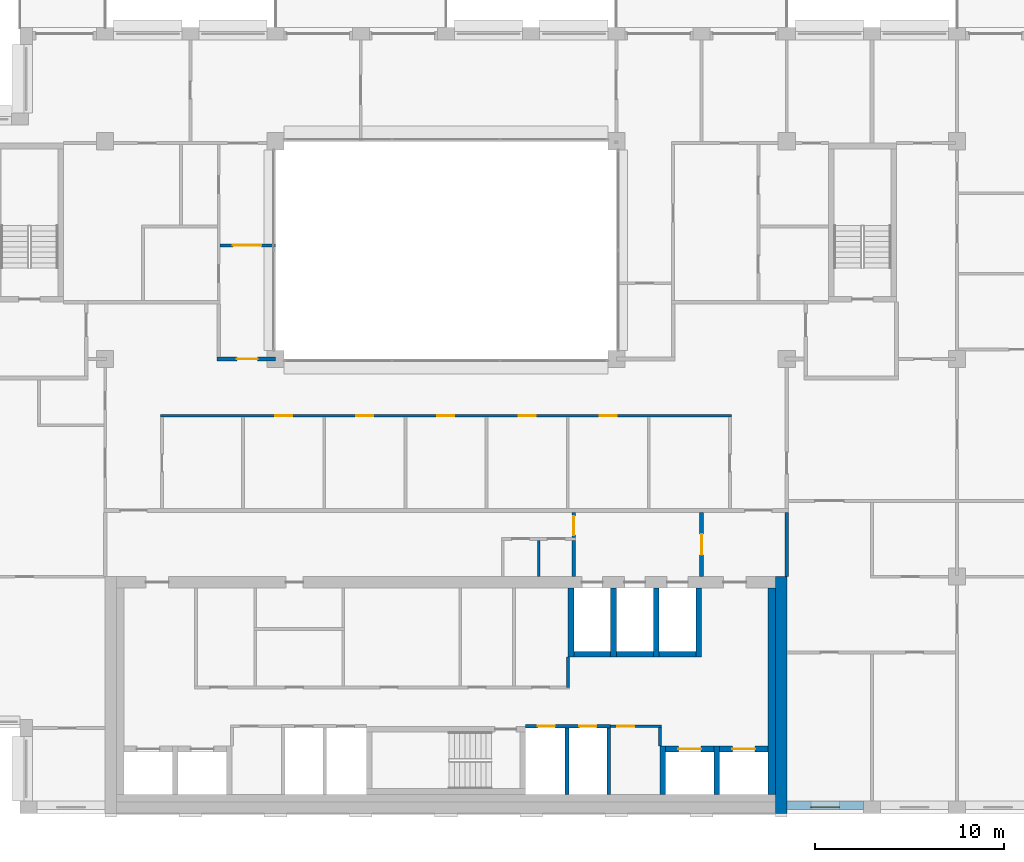
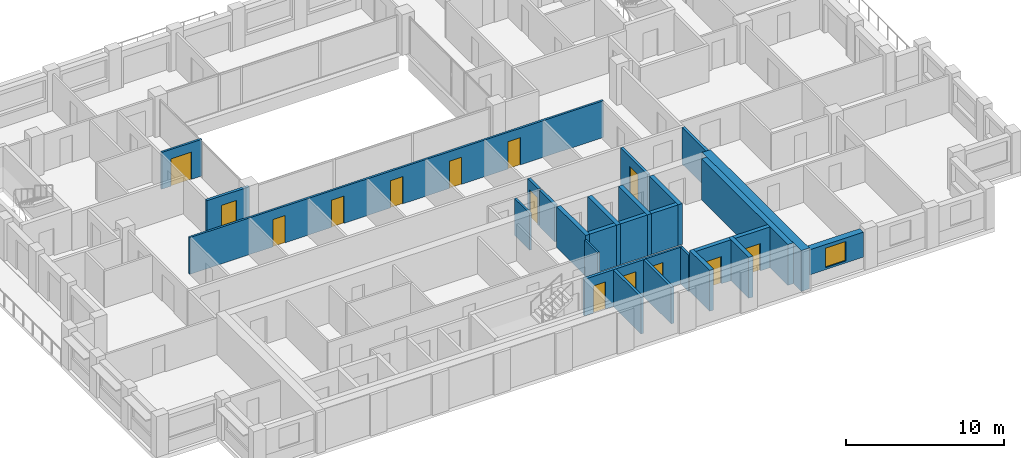
# One storey, part 10 of 15: 28 walls, 14 doors, 1 window, 15 openings.
"""IFC4 building model written with IfcOpenShell, lengths in metres."""

from ifc_helpers import new_model, si_unit, direction, frame, frame_2d, origin, place, context, subcontext, project, spatial, rectangle, extrude, material, layer, layer_set, type_object, element, fill, save


model = new_model("IFC4")

# Units and contexts
model_context = context("Model", 3, precision=1e-05, world=origin(), true_north=direction((0.0, 1.0)))
body_context = subcontext(model_context, "Body", "Model", "MODEL_VIEW")
ifc_project = project(units=[si_unit("LENGTHUNIT", "METRE"), si_unit("AREAUNIT", "SQUARE_METRE"), si_unit("VOLUMEUNIT", "CUBIC_METRE"), si_unit("PLANEANGLEUNIT", "RADIAN"), si_unit("MASSUNIT", "GRAM", prefix="KILO")], contexts=[model_context])

# Site, building, storey
site_placement = place(None, origin())
site = spatial("IfcSite", under=ifc_project, at=site_placement, CompositionType="ELEMENT")
building_placement = place(site_placement, origin())
building = spatial("IfcBuilding", under=site, at=building_placement, Name="Brigalow Station Residences", CompositionType="ELEMENT")
storey_placement = place(building_placement, frame((0.0, 0.0, 216.89990234375)))
storey = spatial("IfcBuildingStorey", under=building, at=storey_placement, Name="L62", CompositionType="ELEMENT", Elevation=216.89990234375)

# Wall, opening, window
ifc_material_1 = material(Name="Clay brick masonry", Category="masonry")
ifc_layer_1 = layer(ifc_material_1, 0.449951171875)
ifc_layer_set_1 = layer_set([ifc_layer_1], Name="BRICK INFILL WALL 450")
wall_type_1 = type_object("IfcWallType", Name="BRICK INFILL WALL 450", PredefinedType="SOLIDWALL", material=ifc_layer_set_1)
wall_1_placement = place(storey_placement, frame((54.0, 0.425048828125, 0.900146484375), z_axis=(0.0, 0.0, 1.0), x_axis=(1.0, 0.0, 0.0)))
wall_1 = element("IfcWall", 1, at=wall_1_placement, inside=storey, type_object=wall_type_1, Name="L62/ewall/W-L62-3", PredefinedType="SOLIDWALL", context=body_context, shape_type="SweptSolid", body=[
    extrude(rectangle(XDim=4.050048828125, YDim=0.449951171875, at=frame_2d((2.02490234375, 0.0))), origin(), (0.0, 0.0, 1.0), 1.929931640625),
])
opening_1_placement = place(wall_1_placement, frame((1.27490234375, 0.0, 0.14990234375)))
opening_1 = element("IfcOpeningElement", 2, at=opening_1_placement, cuts=wall_1, Name="Opening WT-1", PredefinedType="OPENING", context=body_context, shape_type="SweptSolid", body=[
    extrude(rectangle(XDim=1.5, YDim=1.5, at=frame_2d((0.75, 0.75))), frame((0.0, 0.23486328125, 0.0), z_axis=(0.0, -1.0, 0.0), x_axis=(1.0, 0.0, 0.0)), (0.0, 0.0, 1.0), 0.469970703125),
])
ifc_material_2 = material(Name="Anodised aluminium frame with double glazing", Category="aluminium")
window_type = type_object("IfcWindowType", Name="WINDOW 1500x1500", PartitioningType="SINGLE_PANEL", PredefinedType="WINDOW", material=ifc_material_2)
window_placement = place(opening_1_placement, origin())
window = element("IfcWindow", 3, at=window_placement, inside=storey, type_object=window_type, Name="L62/window/W-L62-3", OverallHeight=1.5, OverallWidth=1.5, PartitioningType="SINGLE_PANEL", PredefinedType="WINDOW", context=body_context, shape_type="SweptSolid", body=[
    extrude(rectangle(XDim=1.5, YDim=1.5, at=frame_2d((0.75, 0.75))), frame((0.0, -0.06494140625, 0.0), z_axis=(0.0, -1.0, 0.0), x_axis=(1.0, 0.0, 0.0)), (0.0, 0.0, 1.0), 0.06005859375),
])
fill(opening_1, window)

# Walls
ifc_material_3 = material(Name="Concrete C50", Category="concrete")
ifc_layer_2 = layer(ifc_material_3, 0.300048828125)
ifc_layer_set_2 = layer_set([ifc_layer_2], Name="CORE SHEAR WALL 300 C50")
wall_type_2 = type_object("IfcWallType", Name="CORE SHEAR WALL 300 C50", PredefinedType="SHEAR", material=ifc_layer_set_2)
wall_2_placement = place(storey_placement, frame((42.75, 8.39990234375, 0.0), z_axis=(0.0, 0.0, 1.0), x_axis=(1.0, 0.0, 0.0)))
element("IfcWall", 4, at=wall_2_placement, inside=storey, type_object=wall_type_2, Name="CORE WALL SH-FF1-S L62", PredefinedType="SHEAR", context=body_context, shape_type="SweptSolid", body=[
    extrude(rectangle(XDim=1.949951171875, YDim=0.300048828125, at=frame_2d((0.97509765625, 0.0))), origin(), (0.0, 0.0, 1.0), 3.150146484375),
])
wall_3_placement = place(storey_placement, frame((42.60009765625, 8.25, 0.0), z_axis=(0.0, 0.0, 1.0), x_axis=(0.0, 1.0, 0.0)))
element("IfcWall", 5, at=wall_3_placement, inside=storey, type_object=wall_type_2, Name="CORE WALL SH-FF1-W L62", PredefinedType="SHEAR", context=body_context, shape_type="SweptSolid", body=[
    extrude(rectangle(XDim=3.64990234375, YDim=0.300048828125, at=frame_2d((1.824951171875, 0.0))), origin(), (0.0, 0.0, 1.0), 3.150146484375),
])
wall_4_placement = place(storey_placement, frame((45.0, 8.39990234375, 0.0), z_axis=(0.0, 0.0, 1.0), x_axis=(1.0, 0.0, 0.0)))
element("IfcWall", 6, at=wall_4_placement, inside=storey, type_object=wall_type_2, Name="CORE WALL SH-FF2-S L62", PredefinedType="SHEAR", context=body_context, shape_type="SweptSolid", body=[
    extrude(rectangle(XDim=1.949951171875, YDim=0.300048828125, at=frame_2d((0.97509765625, 0.0))), origin(), (0.0, 0.0, 1.0), 3.150146484375),
])
wall_5_placement = place(storey_placement, frame((44.85009765625, 8.25, 0.0), z_axis=(0.0, 0.0, 1.0), x_axis=(0.0, 1.0, 0.0)))
element("IfcWall", 7, at=wall_5_placement, inside=storey, type_object=wall_type_2, Name="CORE WALL SH-FF2-W L62", PredefinedType="SHEAR", context=body_context, shape_type="SweptSolid", body=[
    extrude(rectangle(XDim=3.64990234375, YDim=0.300048828125, at=frame_2d((1.824951171875, 0.0))), origin(), (0.0, 0.0, 1.0), 3.150146484375),
])
wall_6_placement = place(storey_placement, frame((47.25, 8.39990234375, 0.0), z_axis=(0.0, 0.0, 1.0), x_axis=(1.0, 0.0, 0.0)))
element("IfcWall", 8, at=wall_6_placement, inside=storey, type_object=wall_type_2, Name="CORE WALL SH-SL1-S L62", PredefinedType="SHEAR", context=body_context, shape_type="SweptSolid", body=[
    extrude(rectangle(XDim=1.949951171875, YDim=0.300048828125, at=frame_2d((0.97509765625, 0.0))), origin(), (0.0, 0.0, 1.0), 3.150146484375),
])
for number, where, z_axis, x_axis, name in (
    (9, (47.10009765625, 8.25, 0.0), (0.0, 0.0, 1.0), (0.0, 1.0, 0.0), "CORE WALL SH-SL1-W L62"),
    (10, (49.35009765625, 8.25, 0.0), (0.0, 0.0, 1.0), (0.0, 1.0, 0.0), "CORE WALL SH-SL1-E L62"),
):
    element("IfcWall", number, at=place(storey_placement, frame(where, z_axis=z_axis, x_axis=x_axis)), inside=storey, type_object=wall_type_2, Name=name, PredefinedType="SHEAR", context=body_context, shape_type="SweptSolid", body=[
        extrude(rectangle(XDim=3.64990234375, YDim=0.300048828125, at=frame_2d((1.824951171875, 0.0))), origin(), (0.0, 0.0, 1.0), 3.150146484375),
    ])

# Wall, opening, door
wall_7_placement = place(storey_placement, frame((47.60009765625, 3.39990234375, 0.0), z_axis=(0.0, 0.0, 1.0), x_axis=(1.0, 0.0, 0.0)))
wall_7 = element("IfcWall", 11, at=wall_7_placement, inside=storey, type_object=wall_type_2, Name="CORE WALL SH-C3-N L62", PredefinedType="SHEAR", context=body_context, shape_type="SweptSolid", body=[
    extrude(rectangle(XDim=2.5498046875, YDim=0.300048828125, at=frame_2d((1.27490234375, 0.0))), origin(), (0.0, 0.0, 1.0), 3.150146484375),
])
opening_2_placement = place(wall_7_placement, frame((0.675048828125, 0.0, 0.0)))
opening_2 = element("IfcOpeningElement", 12, at=opening_2_placement, cuts=wall_7, Name="Opening LD-LB3", PredefinedType="OPENING", context=body_context, shape_type="SweptSolid", body=[
    extrude(rectangle(XDim=1.199951171875, YDim=2.10009765625, at=frame_2d((0.60009765625, 1.050048828125))), frame((0.0, 0.16015625, 0.0), z_axis=(0.0, -1.0, 0.0), x_axis=(1.0, 0.0, 0.0)), (0.0, 0.0, 1.0), 0.320068359375),
])
ifc_material_4 = material(Name="Stainless steel sliding door leaves", Category="steel")
door_type_1 = type_object("IfcDoorType", Name="LIFT LANDING DOOR 1200 x 2100", OperationType="DOUBLE_DOOR_SLIDING", PredefinedType="DOOR", material=ifc_material_4)
door_1_placement = place(opening_2_placement, origin())
door_1 = element("IfcDoor", 13, at=door_1_placement, inside=storey, type_object=door_type_1, Name="LANDING DOOR LB3", OperationType="DOUBLE_DOOR_SLIDING", OverallHeight=2.10009765625, OverallWidth=1.199951171875, PredefinedType="DOOR", context=body_context, shape_type="SweptSolid", body=[
    extrude(rectangle(XDim=1.199951171875, YDim=2.10009765625, at=frame_2d((0.60009765625, 1.050048828125))), frame((0.0, 0.02490234375, 0.0), z_axis=(0.0, -1.0, 0.0), x_axis=(1.0, 0.0, 0.0)), (0.0, 0.0, 1.0), 0.050048828125),
])
fill(opening_2, door_1)

# Wall
wall_8_placement = place(storey_placement, frame((47.449951171875, 1.0, 0.0), z_axis=(0.0, 0.0, 1.0), x_axis=(0.0, 1.0, 0.0)))
element("IfcWall", 14, at=wall_8_placement, inside=storey, type_object=wall_type_2, Name="CORE WALL SH-C3-W L62", PredefinedType="SHEAR", context=body_context, shape_type="SweptSolid", body=[
    extrude(rectangle(XDim=2.550048828125, YDim=0.300048828125, at=frame_2d((1.27490234375, 0.0))), origin(), (0.0, 0.0, 1.0), 3.150146484375),
])

# Wall, opening, door
wall_9_placement = place(storey_placement, frame((50.449951171875, 3.39990234375, 0.0), z_axis=(0.0, 0.0, 1.0), x_axis=(1.0, 0.0, 0.0)))
wall_9 = element("IfcWall", 15, at=wall_9_placement, inside=storey, type_object=wall_type_2, Name="CORE WALL SH-C4-N L62", PredefinedType="SHEAR", context=body_context, shape_type="SweptSolid", body=[
    extrude(rectangle(XDim=2.550048828125, YDim=0.300048828125, at=frame_2d((1.27490234375, 0.0))), origin(), (0.0, 0.0, 1.0), 3.150146484375),
])
opening_3_placement = place(wall_9_placement, frame((0.675048828125, 0.0, 0.0)))
opening_3 = element("IfcOpeningElement", 16, at=opening_3_placement, cuts=wall_9, Name="Opening LD-LB4", PredefinedType="OPENING", context=body_context, shape_type="SweptSolid", body=[
    extrude(rectangle(XDim=1.199951171875, YDim=2.10009765625, at=frame_2d((0.60009765625, 1.050048828125))), frame((0.0, 0.16015625, 0.0), z_axis=(0.0, -1.0, 0.0), x_axis=(1.0, 0.0, 0.0)), (0.0, 0.0, 1.0), 0.320068359375),
])
door_2_placement = place(opening_3_placement, origin())
door_2 = element("IfcDoor", 17, at=door_2_placement, inside=storey, type_object=door_type_1, Name="LANDING DOOR LB4", OperationType="DOUBLE_DOOR_SLIDING", OverallHeight=2.10009765625, OverallWidth=1.199951171875, PredefinedType="DOOR", context=body_context, shape_type="SweptSolid", body=[
    extrude(rectangle(XDim=1.199951171875, YDim=2.10009765625, at=frame_2d((0.60009765625, 1.050048828125))), frame((0.0, 0.02490234375, 0.0), z_axis=(0.0, -1.0, 0.0), x_axis=(1.0, 0.0, 0.0)), (0.0, 0.0, 1.0), 0.050048828125),
])
fill(opening_3, door_2)

# Walls
wall_10_placement = place(storey_placement, frame((50.300048828125, 1.0, 0.0), z_axis=(0.0, 0.0, 1.0), x_axis=(0.0, 1.0, 0.0)))
element("IfcWall", 18, at=wall_10_placement, inside=storey, type_object=wall_type_2, Name="CORE WALL SH-C4-W L62", PredefinedType="SHEAR", context=body_context, shape_type="SweptSolid", body=[
    extrude(rectangle(XDim=2.550048828125, YDim=0.300048828125, at=frame_2d((1.27490234375, 0.0))), origin(), (0.0, 0.0, 1.0), 3.150146484375),
])
ifc_material_5 = material(Name="Concrete C50", Category="concrete")
ifc_layer_3 = layer(ifc_material_5, 0.39990234375)
ifc_layer_set_3 = layer_set([ifc_layer_3], Name="CORE SHEAR WALL 400 C50")
wall_type_3 = type_object("IfcWallType", Name="CORE SHEAR WALL 400 C50", PredefinedType="SHEAR", material=ifc_layer_set_3)
wall_11_placement = place(storey_placement, frame((53.199951171875, 1.0, 0.0), z_axis=(0.0, 0.0, 1.0), x_axis=(0.0, 1.0, 0.0)))
element("IfcWall", 19, at=wall_11_placement, inside=storey, type_object=wall_type_3, Name="CORE WALL LIN-E L62", PredefinedType="SHEAR", context=body_context, shape_type="SweptSolid", body=[
    extrude(rectangle(XDim=10.89990234375, YDim=0.39990234375, at=frame_2d((5.449951171875, 0.0))), origin(), (0.0, 0.0, 1.0), 3.150146484375),
])
ifc_material_6 = material(Name="Concrete C50", Category="concrete")
ifc_layer_4 = layer(ifc_material_6, 0.60009765625)
ifc_layer_set_4 = layer_set([ifc_layer_4], Name="CORE SHEAR WALL 600 C50")
wall_type_4 = type_object("IfcWallType", Name="CORE SHEAR WALL 600 C50", PredefinedType="SHEAR", material=ifc_layer_set_4)
wall_12_placement = place(storey_placement, frame((53.699951171875, 0.0, 0.0), z_axis=(0.0, 0.0, 1.0), x_axis=(0.0, 1.0, 0.0)))
element("IfcWall", 20, at=wall_12_placement, inside=storey, type_object=wall_type_4, Name="CORE WALL OUT-E L62", PredefinedType="SHEAR", context=body_context, shape_type="SweptSolid", body=[
    extrude(rectangle(XDim=12.5, YDim=0.60009765625, at=frame_2d((6.25, 0.0))), origin(), (0.0, 0.0, 1.0), 3.150146484375),
])

# Wall, openings, doors
ifc_material_7 = material(Name="Concrete blockwork", Category="masonry")
ifc_layer_5 = layer(ifc_material_7, 0.199951171875)
ifc_layer_set_5 = layer_set([ifc_layer_5], Name="FIRE RATED CORE PARTITION 200")
wall_type_5 = type_object("IfcWallType", Name="FIRE RATED CORE PARTITION 200", PredefinedType="PARTITIONING", material=ifc_layer_set_5)
wall_13_placement = place(storey_placement, frame((40.199951171875, 4.60009765625, 0.0), z_axis=(0.0, 0.0, 1.0), x_axis=(1.0, 0.0, 0.0)))
wall_13 = element("IfcWall", 21, at=wall_13_placement, inside=storey, type_object=wall_type_5, Name="PW-5018", PredefinedType="PARTITIONING", context=body_context, shape_type="SweptSolid", body=[
    extrude(rectangle(XDim=4.5, YDim=0.199951171875, at=frame_2d((2.25, 0.0))), origin(), (0.0, 0.0, 1.0), 2.830078125),
])
opening_4_placement = place(wall_13_placement, frame((0.64990234375, 0.0, 0.0)))
opening_4 = element("IfcOpeningElement", 22, at=opening_4_placement, cuts=wall_13, Name="Opening D-5009", PredefinedType="OPENING", context=body_context, shape_type="SweptSolid", body=[
    extrude(rectangle(XDim=0.89990234375, YDim=2.10009765625, at=frame_2d((0.449951171875, 1.050048828125))), frame((0.0, 0.10986328125, 0.0), z_axis=(0.0, -1.0, 0.0), x_axis=(1.0, 0.0, 0.0)), (0.0, 0.0, 1.0), 0.219970703125),
])
opening_5_placement = place(wall_13_placement, frame((2.85009765625, 0.0, 0.0)))
opening_5 = element("IfcOpeningElement", 23, at=opening_5_placement, cuts=wall_13, Name="Opening D-5010", PredefinedType="OPENING", context=body_context, shape_type="SweptSolid", body=[
    extrude(rectangle(XDim=0.89990234375, YDim=2.10009765625, at=frame_2d((0.449951171875, 1.050048828125))), frame((0.0, 0.10986328125, 0.0), z_axis=(0.0, -1.0, 0.0), x_axis=(1.0, 0.0, 0.0)), (0.0, 0.0, 1.0), 0.219970703125),
])
ifc_material_8 = material(Name="Steel fire door leaf in steel frame", Category="steel")
door_type_2 = type_object("IfcDoorType", Name="RISER ACCESS DOOR 900 x 2100 FD120", OperationType="SINGLE_SWING_LEFT", PredefinedType="DOOR", material=ifc_material_8)
door_3_placement = place(opening_4_placement, frame((0.89990234375, 0.0, 0.0), z_axis=(0.0, 0.0, 1.0), x_axis=(-1.0, 0.0, 0.0)))
door_3 = element("IfcDoor", 24, at=door_3_placement, inside=storey, type_object=door_type_2, Name="D-5009", OperationType="SINGLE_SWING_LEFT", OverallHeight=2.10009765625, OverallWidth=0.89990234375, PredefinedType="DOOR", context=body_context, shape_type="SweptSolid", body=[
    extrude(rectangle(XDim=0.89990234375, YDim=2.10009765625, at=frame_2d((0.449951171875, 1.050048828125))), frame((0.0, 0.02490234375, 0.0), z_axis=(0.0, -1.0, 0.0), x_axis=(1.0, 0.0, 0.0)), (0.0, 0.0, 1.0), 0.050048828125),
])
fill(opening_4, door_3)
door_4_placement = place(opening_5_placement, frame((0.89990234375, 0.0, 0.0), z_axis=(0.0, 0.0, 1.0), x_axis=(-1.0, 0.0, 0.0)))
door_4 = element("IfcDoor", 25, at=door_4_placement, inside=storey, type_object=door_type_2, Name="D-5010", OperationType="SINGLE_SWING_LEFT", OverallHeight=2.10009765625, OverallWidth=0.89990234375, PredefinedType="DOOR", context=body_context, shape_type="SweptSolid", body=[
    extrude(rectangle(XDim=0.89990234375, YDim=2.10009765625, at=frame_2d((0.449951171875, 1.050048828125))), frame((0.0, 0.02490234375, 0.0), z_axis=(0.0, -1.0, 0.0), x_axis=(1.0, 0.0, 0.0)), (0.0, 0.0, 1.0), 0.050048828125),
])
fill(opening_5, door_4)

# Walls
for number, where, z_axis, x_axis, name in (
    (26, (42.39990234375, 1.0, 0.0), (0.0, 0.0, 1.0), (0.0, 1.0, 0.0), "PW-5007"),
    (27, (44.60009765625, 1.0, 0.0), (0.0, 0.0, 1.0), (0.0, 1.0, 0.0), "PW-5008"),
):
    element("IfcWall", number, at=place(storey_placement, frame(where, z_axis=z_axis, x_axis=x_axis)), inside=storey, type_object=wall_type_5, Name=name, PredefinedType="PARTITIONING", context=body_context, shape_type="SweptSolid", body=[
        extrude(rectangle(XDim=3.5, YDim=0.199951171875, at=frame_2d((1.75, 0.0))), origin(), (0.0, 0.0, 1.0), 2.830078125),
    ])
wall_14_placement = place(storey_placement, frame((42.75, 12.5, 0.0), z_axis=(0.0, 0.0, 1.0), x_axis=(0.0, 1.0, 0.0)))
element("IfcWall", 28, at=wall_14_placement, inside=storey, type_object=wall_type_5, Name="PW-5046", PredefinedType="PARTITIONING", context=body_context, shape_type="SweptSolid", body=[
    extrude(rectangle(XDim=1.925048828125, YDim=0.199951171875, at=frame_2d((0.96240234375, 0.0))), origin(), (0.0, 0.0, 1.0), 2.830078125),
])

# Wall, opening, door
wall_15_placement = place(storey_placement, frame((49.5, 12.5, 0.0), z_axis=(0.0, 0.0, 1.0), x_axis=(0.0, 1.0, 0.0)))
wall_15 = element("IfcWall", 29, at=wall_15_placement, inside=storey, type_object=wall_type_5, Name="PW-5015", PredefinedType="PARTITIONING", context=body_context, shape_type="SweptSolid", body=[
    extrude(rectangle(XDim=3.39990234375, YDim=0.199951171875, at=frame_2d((1.699951171875, 0.0))), origin(), (0.0, 0.0, 1.0), 2.830078125),
])
opening_6_placement = place(wall_15_placement, frame((1.14990234375, 0.0, 0.0)))
opening_6 = element("IfcOpeningElement", 30, at=opening_6_placement, cuts=wall_15, Name="Opening D-5014", PredefinedType="OPENING", context=body_context, shape_type="SweptSolid", body=[
    extrude(rectangle(XDim=1.10009765625, YDim=2.10009765625, at=frame_2d((0.550048828125, 1.050048828125))), frame((0.0, 0.10986328125, 0.0), z_axis=(0.0, -1.0, 0.0), x_axis=(1.0, 0.0, 0.0)), (0.0, 0.0, 1.0), 0.219970703125),
])
ifc_material_9 = material(Name="Steel fire door leaf in steel frame", Category="steel")
door_type_3 = type_object("IfcDoorType", Name="LOBBY DOOR 1100 x 2100 FD60S", OperationType="SINGLE_SWING_LEFT", PredefinedType="DOOR", material=ifc_material_9)
door_5_placement = place(opening_6_placement, origin())
door_5 = element("IfcDoor", 31, at=door_5_placement, inside=storey, type_object=door_type_3, Name="D-5014", OperationType="SINGLE_SWING_LEFT", OverallHeight=2.10009765625, OverallWidth=1.10009765625, PredefinedType="DOOR", context=body_context, shape_type="SweptSolid", body=[
    extrude(rectangle(XDim=1.10009765625, YDim=2.10009765625, at=frame_2d((0.550048828125, 1.050048828125))), frame((0.0, 0.02490234375, 0.0), z_axis=(0.0, -1.0, 0.0), x_axis=(1.0, 0.0, 0.0)), (0.0, 0.0, 1.0), 0.050048828125),
])
fill(opening_6, door_5)

# Wall
wall_16_placement = place(storey_placement, frame((54.0, 12.5, 0.0), z_axis=(0.0, 0.0, 1.0), x_axis=(0.0, 1.0, 0.0)))
element("IfcWall", 32, at=wall_16_placement, inside=storey, type_object=wall_type_5, Name="PW-5016", PredefinedType="PARTITIONING", context=body_context, shape_type="SweptSolid", body=[
    extrude(rectangle(XDim=3.39990234375, YDim=0.199951171875, at=frame_2d((1.699951171875, 0.0))), origin(), (0.0, 0.0, 1.0), 2.830078125),
])

# Wall, opening, door
wall_17_placement = place(storey_placement, frame((42.75, 14.574951171875, 0.0), z_axis=(0.0, 0.0, 1.0), x_axis=(0.0, 1.0, 0.0)))
wall_17 = element("IfcWall", 33, at=wall_17_placement, inside=storey, type_object=wall_type_5, Name="PW-5047", PredefinedType="PARTITIONING", context=body_context, shape_type="SweptSolid", body=[
    extrude(rectangle(XDim=1.324951171875, YDim=0.199951171875, at=frame_2d((0.66259765625, 0.0))), origin(), (0.0, 0.0, 1.0), 2.830078125),
])
opening_7_placement = place(wall_17_placement, frame((0.125, 0.0, 0.0)))
opening_7 = element("IfcOpeningElement", 34, at=opening_7_placement, cuts=wall_17, Name="Opening D-5013", PredefinedType="OPENING", context=body_context, shape_type="SweptSolid", body=[
    extrude(rectangle(XDim=1.0, YDim=2.10009765625, at=frame_2d((0.5, 1.050048828125))), frame((0.0, 0.10986328125, 0.0), z_axis=(0.0, -1.0, 0.0), x_axis=(1.0, 0.0, 0.0)), (0.0, 0.0, 1.0), 0.219970703125),
])
ifc_material_10 = material(Name="Steel fire door leaf in steel frame", Category="steel")
door_type_4 = type_object("IfcDoorType", Name="LOBBY DOOR 1000 x 2100 FD60S", OperationType="SINGLE_SWING_LEFT", PredefinedType="DOOR", material=ifc_material_10)
door_6_placement = place(opening_7_placement, origin())
door_6 = element("IfcDoor", 35, at=door_6_placement, inside=storey, type_object=door_type_4, Name="D-5013", OperationType="SINGLE_SWING_LEFT", OverallHeight=2.10009765625, OverallWidth=1.0, PredefinedType="DOOR", context=body_context, shape_type="SweptSolid", body=[
    extrude(rectangle(XDim=1.0, YDim=2.10009765625, at=frame_2d((0.5, 1.050048828125))), frame((0.0, 0.02490234375, 0.0), z_axis=(0.0, -1.0, 0.0), x_axis=(1.0, 0.0, 0.0)), (0.0, 0.0, 1.0), 0.050048828125),
])
fill(opening_7, door_6)

# Wall, openings, doors
ifc_material_11 = material(Name="Plasterboard on steel stud partition", Category="steel")
ifc_layer_6 = layer(ifc_material_11, 0.14990234375)
ifc_layer_set_6 = layer_set([ifc_layer_6], Name="FLAT PARTITION 150")
wall_type_6 = type_object("IfcWallType", Name="FLAT PARTITION 150", PredefinedType="PARTITIONING", material=ifc_layer_set_6)
wall_18_placement = place(storey_placement, frame((20.925048828125, 21.0, 0.0), z_axis=(0.0, 0.0, 1.0), x_axis=(1.0, 0.0, 0.0)))
wall_18 = element("IfcWall", 36, at=wall_18_placement, inside=storey, type_object=wall_type_6, Name="PW-4C06", PredefinedType="PARTITIONING", context=body_context, shape_type="SweptSolid", body=[
    extrude(rectangle(XDim=30.14990234375, YDim=0.14990234375, at=frame_2d((15.074951171875, 0.0))), origin(), (0.0, 0.0, 1.0), 2.830078125),
])
opening_8_placement = place(wall_18_placement, frame((6.052978515625, 0.0, 0.0)))
opening_8 = element("IfcOpeningElement", 37, at=opening_8_placement, cuts=wall_18, Name="Opening D-4C38", PredefinedType="OPENING", context=body_context, shape_type="SweptSolid", body=[
    extrude(rectangle(XDim=0.89990234375, YDim=2.10009765625, at=frame_2d((0.449951171875, 1.050048828125))), frame((0.0, 0.0849609375, 0.0), z_axis=(0.0, -1.0, 0.0), x_axis=(1.0, 0.0, 0.0)), (0.0, 0.0, 1.0), 0.169921875),
])
opening_9_placement = place(wall_18_placement, frame((10.339111328125, 0.0, 0.0)))
opening_9 = element("IfcOpeningElement", 38, at=opening_9_placement, cuts=wall_18, Name="Opening D-4C39", PredefinedType="OPENING", context=body_context, shape_type="SweptSolid", body=[
    extrude(rectangle(XDim=0.89990234375, YDim=2.10009765625, at=frame_2d((0.449951171875, 1.050048828125))), frame((0.0, 0.0849609375, 0.0), z_axis=(0.0, -1.0, 0.0), x_axis=(1.0, 0.0, 0.0)), (0.0, 0.0, 1.0), 0.169921875),
])
opening_10_placement = place(wall_18_placement, frame((14.625, 0.0, 0.0)))
opening_10 = element("IfcOpeningElement", 39, at=opening_10_placement, cuts=wall_18, Name="Opening D-4C40", PredefinedType="OPENING", context=body_context, shape_type="SweptSolid", body=[
    extrude(rectangle(XDim=0.89990234375, YDim=2.10009765625, at=frame_2d((0.449951171875, 1.050048828125))), frame((0.0, 0.0849609375, 0.0), z_axis=(0.0, -1.0, 0.0), x_axis=(1.0, 0.0, 0.0)), (0.0, 0.0, 1.0), 0.169921875),
])
opening_11_placement = place(wall_18_placement, frame((18.910888671875, 0.0, 0.0)))
opening_11 = element("IfcOpeningElement", 40, at=opening_11_placement, cuts=wall_18, Name="Opening D-4C41", PredefinedType="OPENING", context=body_context, shape_type="SweptSolid", body=[
    extrude(rectangle(XDim=0.89990234375, YDim=2.10009765625, at=frame_2d((0.449951171875, 1.050048828125))), frame((0.0, 0.0849609375, 0.0), z_axis=(0.0, -1.0, 0.0), x_axis=(1.0, 0.0, 0.0)), (0.0, 0.0, 1.0), 0.169921875),
])
opening_12_placement = place(wall_18_placement, frame((23.197021484375, 0.0, 0.0)))
opening_12 = element("IfcOpeningElement", 41, at=opening_12_placement, cuts=wall_18, Name="Opening D-4C42", PredefinedType="OPENING", context=body_context, shape_type="SweptSolid", body=[
    extrude(rectangle(XDim=0.89990234375, YDim=2.10009765625, at=frame_2d((0.449951171875, 1.050048828125))), frame((0.0, 0.0849609375, 0.0), z_axis=(0.0, -1.0, 0.0), x_axis=(1.0, 0.0, 0.0)), (0.0, 0.0, 1.0), 0.169921875),
])
ifc_material_12 = material(Name="Solid-core timber door leaf", Category="wood")
door_type_5 = type_object("IfcDoorType", Name="INTERNAL DOOR 900 x 2100", OperationType="SINGLE_SWING_LEFT", PredefinedType="DOOR", material=ifc_material_12)
door_7_placement = place(opening_8_placement, frame((0.89990234375, 0.0, 0.0), z_axis=(0.0, 0.0, 1.0), x_axis=(-1.0, 0.0, 0.0)))
door_7 = element("IfcDoor", 42, at=door_7_placement, inside=storey, type_object=door_type_5, Name="D-4C38", OperationType="SINGLE_SWING_RIGHT", OverallHeight=2.10009765625, OverallWidth=0.89990234375, PredefinedType="DOOR", context=body_context, shape_type="SweptSolid", body=[
    extrude(rectangle(XDim=0.89990234375, YDim=2.10009765625, at=frame_2d((0.449951171875, 1.050048828125))), frame((0.0, 0.02490234375, 0.0), z_axis=(0.0, -1.0, 0.0), x_axis=(1.0, 0.0, 0.0)), (0.0, 0.0, 1.0), 0.050048828125),
])
fill(opening_8, door_7)
door_8_placement = place(opening_9_placement, frame((0.89990234375, 0.0, 0.0), z_axis=(0.0, 0.0, 1.0), x_axis=(-1.0, 0.0, 0.0)))
door_8 = element("IfcDoor", 43, at=door_8_placement, inside=storey, type_object=door_type_5, Name="D-4C39", OperationType="SINGLE_SWING_LEFT", OverallHeight=2.10009765625, OverallWidth=0.89990234375, PredefinedType="DOOR", context=body_context, shape_type="SweptSolid", body=[
    extrude(rectangle(XDim=0.89990234375, YDim=2.10009765625, at=frame_2d((0.449951171875, 1.050048828125))), frame((0.0, 0.02490234375, 0.0), z_axis=(0.0, -1.0, 0.0), x_axis=(1.0, 0.0, 0.0)), (0.0, 0.0, 1.0), 0.050048828125),
])
fill(opening_9, door_8)
door_9_placement = place(opening_10_placement, frame((0.89990234375, 0.0, 0.0), z_axis=(0.0, 0.0, 1.0), x_axis=(-1.0, 0.0, 0.0)))
door_9 = element("IfcDoor", 44, at=door_9_placement, inside=storey, type_object=door_type_5, Name="D-4C40", OperationType="SINGLE_SWING_LEFT", OverallHeight=2.10009765625, OverallWidth=0.89990234375, PredefinedType="DOOR", context=body_context, shape_type="SweptSolid", body=[
    extrude(rectangle(XDim=0.89990234375, YDim=2.10009765625, at=frame_2d((0.449951171875, 1.050048828125))), frame((0.0, 0.02490234375, 0.0), z_axis=(0.0, -1.0, 0.0), x_axis=(1.0, 0.0, 0.0)), (0.0, 0.0, 1.0), 0.050048828125),
])
fill(opening_10, door_9)
door_10_placement = place(opening_11_placement, frame((0.89990234375, 0.0, 0.0), z_axis=(0.0, 0.0, 1.0), x_axis=(-1.0, 0.0, 0.0)))
door_10 = element("IfcDoor", 45, at=door_10_placement, inside=storey, type_object=door_type_5, Name="D-4C41", OperationType="SINGLE_SWING_RIGHT", OverallHeight=2.10009765625, OverallWidth=0.89990234375, PredefinedType="DOOR", context=body_context, shape_type="SweptSolid", body=[
    extrude(rectangle(XDim=0.89990234375, YDim=2.10009765625, at=frame_2d((0.449951171875, 1.050048828125))), frame((0.0, 0.02490234375, 0.0), z_axis=(0.0, -1.0, 0.0), x_axis=(1.0, 0.0, 0.0)), (0.0, 0.0, 1.0), 0.050048828125),
])
fill(opening_11, door_10)
door_11_placement = place(opening_12_placement, frame((0.89990234375, 0.0, 0.0), z_axis=(0.0, 0.0, 1.0), x_axis=(-1.0, 0.0, 0.0)))
door_11 = element("IfcDoor", 46, at=door_11_placement, inside=storey, type_object=door_type_5, Name="D-4C42", OperationType="SINGLE_SWING_LEFT", OverallHeight=2.10009765625, OverallWidth=0.89990234375, PredefinedType="DOOR", context=body_context, shape_type="SweptSolid", body=[
    extrude(rectangle(XDim=0.89990234375, YDim=2.10009765625, at=frame_2d((0.449951171875, 1.050048828125))), frame((0.0, 0.02490234375, 0.0), z_axis=(0.0, -1.0, 0.0), x_axis=(1.0, 0.0, 0.0)), (0.0, 0.0, 1.0), 0.050048828125),
])
fill(opening_12, door_11)

# Wall, opening, door
wall_19_placement = place(storey_placement, frame((24.074951171875, 30.0, 0.0), z_axis=(0.0, 0.0, 1.0), x_axis=(1.0, 0.0, 0.0)))
wall_19 = element("IfcWall", 47, at=wall_19_placement, inside=storey, type_object=wall_type_6, Name="PW-4C13", PredefinedType="PARTITIONING", context=body_context, shape_type="SweptSolid", body=[
    extrude(rectangle(XDim=2.925048828125, YDim=0.14990234375, at=frame_2d((1.46240234375, 0.0))), origin(), (0.0, 0.0, 1.0), 2.830078125),
])
opening_13_placement = place(wall_19_placement, frame((0.675048828125, 0.0, 0.0)))
opening_13 = element("IfcOpeningElement", 48, at=opening_13_placement, cuts=wall_19, Name="Opening D-4C08", PredefinedType="OPENING", context=body_context, shape_type="SweptSolid", body=[
    extrude(rectangle(XDim=1.5, YDim=2.10009765625, at=frame_2d((0.75, 1.050048828125))), frame((0.0, 0.0849609375, 0.0), z_axis=(0.0, -1.0, 0.0), x_axis=(1.0, 0.0, 0.0)), (0.0, 0.0, 1.0), 0.169921875),
])
ifc_material_13 = material(Name="Solid-core timber door leaf", Category="wood")
door_type_6 = type_object("IfcDoorType", Name="INTERNAL DOUBLE DOOR 1500 x 2100", OperationType="DOUBLE_DOOR_SINGLE_SWING", PredefinedType="DOOR", material=ifc_material_13)
door_12_placement = place(opening_13_placement, frame((1.5, 0.0, 0.0), z_axis=(0.0, 0.0, 1.0), x_axis=(-1.0, 0.0, 0.0)))
door_12 = element("IfcDoor", 49, at=door_12_placement, inside=storey, type_object=door_type_6, Name="D-4C08", OperationType="DOUBLE_DOOR_SINGLE_SWING", OverallHeight=2.10009765625, OverallWidth=1.5, PredefinedType="DOOR", context=body_context, shape_type="SweptSolid", body=[
    extrude(rectangle(XDim=1.5, YDim=2.10009765625, at=frame_2d((0.75, 1.050048828125))), frame((0.0, 0.02490234375, 0.0), z_axis=(0.0, -1.0, 0.0), x_axis=(1.0, 0.0, 0.0)), (0.0, 0.0, 1.0), 0.050048828125),
])
fill(opening_13, door_12)

ifc_material_14 = material(Name="Plasterboard on steel stud partition", Category="steel")
ifc_layer_7 = layer(ifc_material_14, 0.199951171875)
ifc_layer_set_7 = layer_set([ifc_layer_7], Name="PARTY AND CORRIDOR WALL 200")
wall_type_7 = type_object("IfcWallType", Name="PARTY AND CORRIDOR WALL 200", PredefinedType="PARTITIONING", material=ifc_layer_set_7)
wall_20_placement = place(storey_placement, frame((23.89990234375, 24.0, 0.0), z_axis=(0.0, 0.0, 1.0), x_axis=(1.0, 0.0, 0.0)))
wall_20 = element("IfcWall", 50, at=wall_20_placement, inside=storey, type_object=wall_type_7, Name="PW-4C03", PredefinedType="PARTITIONING", context=body_context, shape_type="SweptSolid", body=[
    extrude(rectangle(XDim=3.10009765625, YDim=0.199951171875, at=frame_2d((1.550048828125, 0.0))), origin(), (0.0, 0.0, 1.0), 2.830078125),
])
opening_14_placement = place(wall_20_placement, frame((1.050048828125, 0.0, 0.0)))
opening_14 = element("IfcOpeningElement", 51, at=opening_14_placement, cuts=wall_20, Name="Opening D-4C07", PredefinedType="OPENING", context=body_context, shape_type="SweptSolid", body=[
    extrude(rectangle(XDim=1.10009765625, YDim=2.10009765625, at=frame_2d((0.550048828125, 1.050048828125))), frame((0.0, 0.10986328125, 0.0), z_axis=(0.0, -1.0, 0.0), x_axis=(1.0, 0.0, 0.0)), (0.0, 0.0, 1.0), 0.219970703125),
])
ifc_material_15 = material(Name="Solid-core timber door leaf", Category="wood")
door_type_7 = type_object("IfcDoorType", Name="FLAT ENTRANCE DOOR 1100 x 2100 FRL -/60/30", OperationType="SINGLE_SWING_LEFT", PredefinedType="DOOR", material=ifc_material_15)
door_13_placement = place(opening_14_placement, origin())
door_13 = element("IfcDoor", 52, at=door_13_placement, inside=storey, type_object=door_type_7, Name="D-4C07", OperationType="SINGLE_SWING_LEFT", OverallHeight=2.10009765625, OverallWidth=1.10009765625, PredefinedType="DOOR", context=body_context, shape_type="SweptSolid", body=[
    extrude(rectangle(XDim=1.10009765625, YDim=2.10009765625, at=frame_2d((0.550048828125, 1.050048828125))), frame((0.0, 0.02490234375, 0.0), z_axis=(0.0, -1.0, 0.0), x_axis=(1.0, 0.0, 0.0)), (0.0, 0.0, 1.0), 0.050048828125),
])
fill(opening_14, door_13)

ifc_material_16 = material(Name="Plasterboard on steel studs", Category="steel")
ifc_layer_8 = layer(ifc_material_16, 0.14990234375)
ifc_layer_set_8 = layer_set([ifc_layer_8], Name="SERVICE ROOM PARTITION 150")
wall_type_8 = type_object("IfcWallType", Name="SERVICE ROOM PARTITION 150", PredefinedType="PARTITIONING", material=ifc_layer_set_8)
wall_21_placement = place(storey_placement, frame((44.699951171875, 4.60009765625, 0.0), z_axis=(0.0, 0.0, 1.0), x_axis=(1.0, 0.0, 0.0)))
wall_21 = element("IfcWall", 53, at=wall_21_placement, inside=storey, type_object=wall_type_8, Name="PW-5156", PredefinedType="PARTITIONING", context=body_context, shape_type="SweptSolid", body=[
    extrude(rectangle(XDim=2.675048828125, YDim=0.14990234375, at=frame_2d((1.33740234375, 0.0))), origin(), (0.0, 0.0, 1.0), 2.830078125),
])
opening_15_placement = place(wall_21_placement, frame((0.35009765625, 0.0, 0.0)))
opening_15 = element("IfcOpeningElement", 54, at=opening_15_placement, cuts=wall_21, Name="Opening D-5026", PredefinedType="OPENING", context=body_context, shape_type="SweptSolid", body=[
    extrude(rectangle(XDim=0.89990234375, YDim=2.10009765625, at=frame_2d((0.449951171875, 1.050048828125))), frame((0.0, 0.0849609375, 0.0), z_axis=(0.0, -1.0, 0.0), x_axis=(1.0, 0.0, 0.0)), (0.0, 0.0, 1.0), 0.169921875),
])
ifc_material_17 = material(Name="Steel door leaf in steel frame", Category="steel")
door_type_8 = type_object("IfcDoorType", Name="SERVICE ROOM DOOR 900 x 2100 FD60", OperationType="SINGLE_SWING_LEFT", PredefinedType="DOOR", material=ifc_material_17)
door_14_placement = place(opening_15_placement, frame((0.89990234375, 0.0, 0.0), z_axis=(0.0, 0.0, 1.0), x_axis=(-1.0, 0.0, 0.0)))
door_14 = element("IfcDoor", 55, at=door_14_placement, inside=storey, type_object=door_type_8, Name="D-5026", OperationType="SINGLE_SWING_RIGHT", OverallHeight=2.10009765625, OverallWidth=0.89990234375, PredefinedType="DOOR", context=body_context, shape_type="SweptSolid", body=[
    extrude(rectangle(XDim=0.89990234375, YDim=2.10009765625, at=frame_2d((0.449951171875, 1.050048828125))), frame((0.0, 0.02490234375, 0.0), z_axis=(0.0, -1.0, 0.0), x_axis=(1.0, 0.0, 0.0)), (0.0, 0.0, 1.0), 0.050048828125),
])
fill(opening_15, door_14)

# Walls
wall_22_placement = place(storey_placement, frame((47.300048828125, 3.550048828125, 0.0), z_axis=(0.0, 0.0, 1.0), x_axis=(0.0, 1.0, 0.0)))
element("IfcWall", 56, at=wall_22_placement, inside=storey, type_object=wall_type_8, Name="PW-5158", PredefinedType="PARTITIONING", context=body_context, shape_type="SweptSolid", body=[
    extrude(rectangle(XDim=0.974853515625, YDim=0.14990234375, at=frame_2d((0.4873046875, 0.0))), origin(), (0.0, 0.0, 1.0), 2.830078125),
])
wall_23_placement = place(storey_placement, frame((42.449951171875, 6.64990234375, 0.0), z_axis=(0.0, 0.0, 1.0), x_axis=(0.0, 1.0, 0.0)))
element("IfcWall", 57, at=wall_23_placement, inside=storey, type_object=wall_type_8, Name="PW-5029", PredefinedType="PARTITIONING", context=body_context, shape_type="SweptSolid", body=[
    extrude(rectangle(XDim=1.60009765625, YDim=0.14990234375, at=frame_2d((0.800048828125, 0.0))), origin(), (0.0, 0.0, 1.0), 2.830078125),
])
wall_24_placement = place(storey_placement, frame((40.89990234375, 12.5, 0.0), z_axis=(0.0, 0.0, 1.0), x_axis=(0.0, 1.0, 0.0)))
element("IfcWall", 58, at=wall_24_placement, inside=storey, type_object=wall_type_8, Name="PW-5137", PredefinedType="PARTITIONING", context=body_context, shape_type="SweptSolid", body=[
    extrude(rectangle(XDim=1.925048828125, YDim=0.14990234375, at=frame_2d((0.96240234375, 0.0))), origin(), (0.0, 0.0, 1.0), 2.830078125),
])

save(model, "model.ifc")
